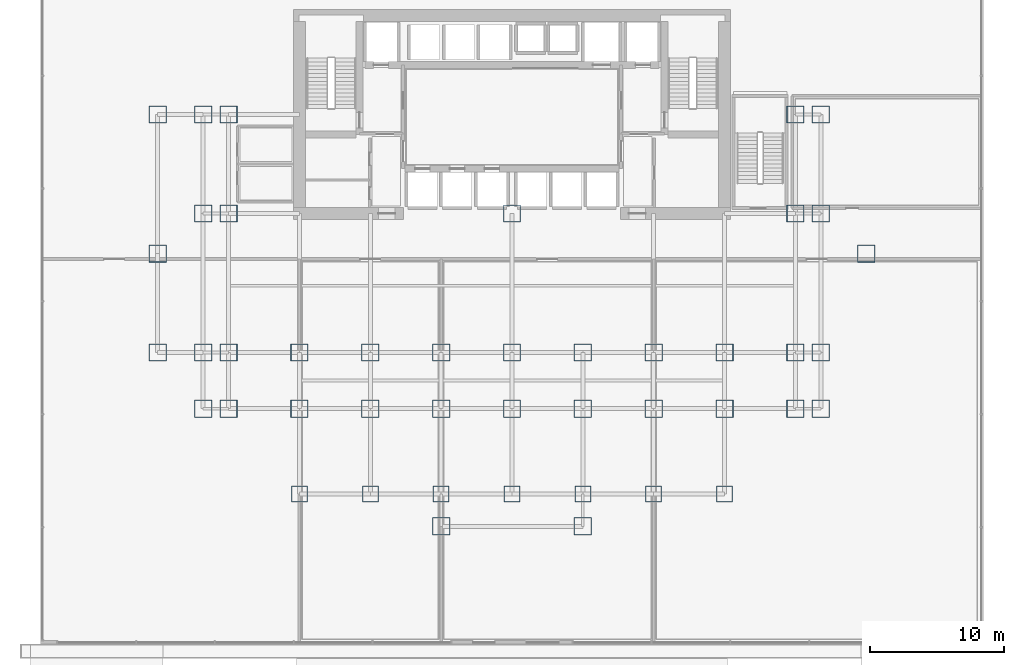
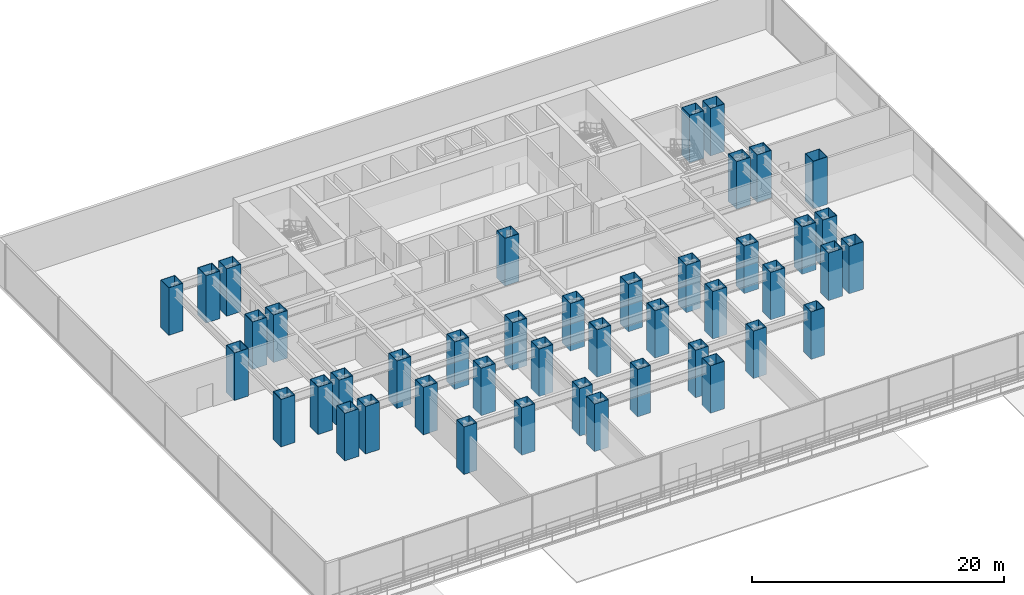
# One storey, part 1 of 13: 44 columns.
"""IFC4 building model written with IfcOpenShell, lengths in metres."""

from ifc_helpers import new_model, si_unit, direction, frame, origin, origin_2d, place, context, subcontext, project, spatial, hollow_rectangle, extrude, material, material_profile, profile_set, type_object, element, save


model = new_model("IFC4")

# Units and contexts
model_context = context("Model", 3, precision=1e-05, world=origin(), true_north=direction((0.0, 1.0)))
body_context = subcontext(model_context, "Body", "Model", "MODEL_VIEW")
ifc_project = project(units=[si_unit("LENGTHUNIT", "METRE"), si_unit("AREAUNIT", "SQUARE_METRE"), si_unit("VOLUMEUNIT", "CUBIC_METRE"), si_unit("PLANEANGLEUNIT", "RADIAN"), si_unit("MASSUNIT", "GRAM", prefix="KILO")], contexts=[model_context])

# Site, building, storey
site_placement = place(None, origin())
site = spatial("IfcSite", under=ifc_project, at=site_placement, CompositionType="ELEMENT")
building_placement = place(site_placement, origin())
building = spatial("IfcBuilding", under=site, at=building_placement, Name="Qianlan Lanfeng Residences", CompositionType="ELEMENT")
storey_placement = place(building_placement, frame((0.0, 0.0, 5.199951171875)))
storey = spatial("IfcBuildingStorey", under=building, at=storey_placement, Name="L01", CompositionType="ELEMENT", Elevation=5.199951171875)

# Columns
ifc_material = material(Name="Steel SM570 (420 MPa)", Category="steel")
ifc_material_profile_1 = material_profile(ifc_material, hollow_rectangle(XDim=1.300048828125, YDim=1.300048828125, WallThickness=0.0419921875, at=origin_2d()), Name="BOX 1300x1300x42")
ifc_profile_set_1 = profile_set([ifc_material_profile_1], Name="Steel SM570 (420 MPa)")
column_type_1 = type_object("IfcColumnType", Name="C-B1500", PredefinedType="COLUMN", material=ifc_profile_set_1)
for number, where, z_axis, x_axis, name in (
    (1, (21.199951171875, 1.800048828125, 0.0), (0.0, 0.0, 1.0), (1.0, 0.0, 0.0), "L01 Structural Column P_21.20_1.80"),
    (2, (31.800048828125, 1.800048828125, 0.0), (0.0, 0.0, 1.0), (1.0, 0.0, 0.0), "L01 Structural Column P_31.80_1.80"),
    (3, (26.5, 25.199951171875, 0.0), (0.0, 0.0, 1.0), (1.0, 0.0, 0.0), "L01 Structural Column CP_26.5_25.2"),
    (4, (10.60009765625, 14.800048828125, 0.0), (0.0, 0.0, 1.0), (1.0, 0.0, 0.0), "L01 Structural Column M_10.60_14.80"),
    (5, (10.60009765625, 10.60009765625, 0.0), (0.0, 0.0, 1.0), (1.0, 0.0, 0.0), "L01 Structural Column G_10.60_10.60"),
    (6, (15.89990234375, 14.800048828125, 0.0), (0.0, 0.0, 1.0), (1.0, 0.0, 0.0), "L01 Structural Column M_15.90_14.80"),
    (7, (15.89990234375, 10.60009765625, 0.0), (0.0, 0.0, 1.0), (1.0, 0.0, 0.0), "L01 Structural Column G_15.90_10.60"),
    (8, (21.199951171875, 14.800048828125, 0.0), (0.0, 0.0, 1.0), (1.0, 0.0, 0.0), "L01 Structural Column M_21.20_14.80"),
    (9, (21.199951171875, 10.60009765625, 0.0), (0.0, 0.0, 1.0), (1.0, 0.0, 0.0), "L01 Structural Column G_21.20_10.60"),
    (10, (26.5, 14.800048828125, 0.0), (0.0, 0.0, 1.0), (1.0, 0.0, 0.0), "L01 Structural Column M_26.50_14.80"),
    (11, (26.5, 10.60009765625, 0.0), (0.0, 0.0, 1.0), (1.0, 0.0, 0.0), "L01 Structural Column G_26.50_10.60"),
    (12, (31.800048828125, 14.800048828125, 0.0), (0.0, 0.0, 1.0), (1.0, 0.0, 0.0), "L01 Structural Column M_31.80_14.80"),
    (13, (31.800048828125, 10.60009765625, 0.0), (0.0, 0.0, 1.0), (1.0, 0.0, 0.0), "L01 Structural Column G_31.80_10.60"),
    (14, (37.10009765625, 14.800048828125, 0.0), (0.0, 0.0, 1.0), (1.0, 0.0, 0.0), "L01 Structural Column M_37.10_14.80"),
    (15, (37.10009765625, 10.60009765625, 0.0), (0.0, 0.0, 1.0), (1.0, 0.0, 0.0), "L01 Structural Column G_37.10_10.60"),
    (16, (42.39990234375, 14.800048828125, 0.0), (0.0, 0.0, 1.0), (1.0, 0.0, 0.0), "L01 Structural Column M_42.40_14.80"),
    (17, (42.39990234375, 10.60009765625, 0.0), (0.0, 0.0, 1.0), (1.0, 0.0, 0.0), "L01 Structural Column G_42.40_10.60"),
    (18, (3.39990234375, 10.60009765625, 0.0), (0.0, 0.0, 1.0), (1.0, 0.0, 0.0), "L01 Structural Column W_3.40_10.60"),
    (19, (3.39990234375, 14.800048828125, 0.0), (0.0, 0.0, 1.0), (1.0, 0.0, 0.0), "L01 Structural Column W_3.40_14.80"),
    (20, (3.39990234375, 25.199951171875, 0.0), (0.0, 0.0, 1.0), (1.0, 0.0, 0.0), "L01 Structural Column W_3.40_25.20"),
    (21, (3.39990234375, 32.60009765625, 0.0), (0.0, 0.0, 1.0), (1.0, 0.0, 0.0), "L01 Structural Column W_3.40_32.60"),
    (22, (5.300048828125, 10.60009765625, 0.0), (0.0, 0.0, 1.0), (1.0, 0.0, 0.0), "L01 Structural Column W_5.30_10.60"),
    (23, (5.300048828125, 14.800048828125, 0.0), (0.0, 0.0, 1.0), (1.0, 0.0, 0.0), "L01 Structural Column W_5.30_14.80"),
    (24, (5.300048828125, 25.199951171875, 0.0), (0.0, 0.0, 1.0), (1.0, 0.0, 0.0), "L01 Structural Column W_5.30_25.20"),
    (25, (5.300048828125, 32.60009765625, 0.0), (0.0, 0.0, 1.0), (1.0, 0.0, 0.0), "L01 Structural Column W_5.30_32.60"),
    (26, (47.699951171875, 10.60009765625, 0.0), (0.0, 0.0, 1.0), (1.0, 0.0, 0.0), "L01 Structural Column W_47.70_10.60"),
    (27, (47.699951171875, 14.800048828125, 0.0), (0.0, 0.0, 1.0), (1.0, 0.0, 0.0), "L01 Structural Column W_47.70_14.80"),
    (28, (47.699951171875, 25.199951171875, 0.0), (0.0, 0.0, 1.0), (1.0, 0.0, 0.0), "L01 Structural Column W_47.70_25.20"),
    (29, (47.699951171875, 32.60009765625, 0.0), (0.0, 0.0, 1.0), (1.0, 0.0, 0.0), "L01 Structural Column W_47.70_32.60"),
    (30, (49.60009765625, 10.60009765625, 0.0), (0.0, 0.0, 1.0), (1.0, 0.0, 0.0), "L01 Structural Column W_49.60_10.60"),
    (31, (49.60009765625, 14.800048828125, 0.0), (0.0, 0.0, 1.0), (1.0, 0.0, 0.0), "L01 Structural Column W_49.60_14.80"),
    (32, (49.60009765625, 25.199951171875, 0.0), (0.0, 0.0, 1.0), (1.0, 0.0, 0.0), "L01 Structural Column W_49.60_25.20"),
    (33, (49.60009765625, 32.60009765625, 0.0), (0.0, 0.0, 1.0), (1.0, 0.0, 0.0), "L01 Structural Column W_49.60_32.60"),
    (34, (0.0, 14.800048828125, 0.0), (0.0, 0.0, 1.0), (1.0, 0.0, 0.0), "L01 Structural Column P_+0.0_+14.8"),
    (35, (0.0, 22.199951171875, 0.0), (0.0, 0.0, 1.0), (1.0, 0.0, 0.0), "L01 Structural Column P_+0.0_+22.2"),
    (36, (0.0, 32.60009765625, 0.0), (0.0, 0.0, 1.0), (1.0, 0.0, 0.0), "L01 Structural Column P_+0.0_+32.6"),
    (37, (53.0, 22.199951171875, 0.0), (0.0, 0.0, 1.0), (1.0, 0.0, 0.0), "L01 Structural Column P_+53.0_+22.2"),
):
    element("IfcColumn", number, at=place(storey_placement, frame(where, z_axis=z_axis, x_axis=x_axis)), inside=storey, type_object=column_type_1, Name=name, PredefinedType="COLUMN", context=body_context, shape_type="SweptSolid", body=[
        extrude(hollow_rectangle(XDim=1.300048828125, YDim=1.300048828125, WallThickness=0.0419921875, at=origin_2d()), origin(), (0.0, 0.0, 1.0), 4.60009765625),
    ])
ifc_material_profile_2 = material_profile(ifc_material, hollow_rectangle(XDim=1.199951171875, YDim=1.199951171875, WallThickness=0.0400390625, at=origin_2d()), Name="BOX 1200x1200x40")
ifc_profile_set_2 = profile_set([ifc_material_profile_2], Name="Steel SM570 (420 MPa)")
column_type_2 = type_object("IfcColumnType", Name="CE-B1400", PredefinedType="COLUMN", material=ifc_profile_set_2)
for number, where, z_axis, x_axis, name in (
    (38, (10.60009765625, 4.199951171875, 0.0), (0.0, 0.0, 1.0), (1.0, 0.0, 0.0), "L01 Structural Column S_10.60_4.20"),
    (39, (15.89990234375, 4.199951171875, 0.0), (0.0, 0.0, 1.0), (1.0, 0.0, 0.0), "L01 Structural Column S_15.90_4.20"),
    (40, (21.199951171875, 4.199951171875, 0.0), (0.0, 0.0, 1.0), (1.0, 0.0, 0.0), "L01 Structural Column S_21.20_4.20"),
    (41, (26.5, 4.199951171875, 0.0), (0.0, 0.0, 1.0), (1.0, 0.0, 0.0), "L01 Structural Column S_26.50_4.20"),
    (42, (31.800048828125, 4.199951171875, 0.0), (0.0, 0.0, 1.0), (1.0, 0.0, 0.0), "L01 Structural Column S_31.80_4.20"),
    (43, (37.10009765625, 4.199951171875, 0.0), (0.0, 0.0, 1.0), (1.0, 0.0, 0.0), "L01 Structural Column S_37.10_4.20"),
    (44, (42.39990234375, 4.199951171875, 0.0), (0.0, 0.0, 1.0), (1.0, 0.0, 0.0), "L01 Structural Column S_42.40_4.20"),
):
    element("IfcColumn", number, at=place(storey_placement, frame(where, z_axis=z_axis, x_axis=x_axis)), inside=storey, type_object=column_type_2, Name=name, PredefinedType="COLUMN", context=body_context, shape_type="SweptSolid", body=[
        extrude(hollow_rectangle(XDim=1.199951171875, YDim=1.199951171875, WallThickness=0.0400390625, at=origin_2d()), origin(), (0.0, 0.0, 1.0), 4.60009765625),
    ])

save(model, "model.ifc")
